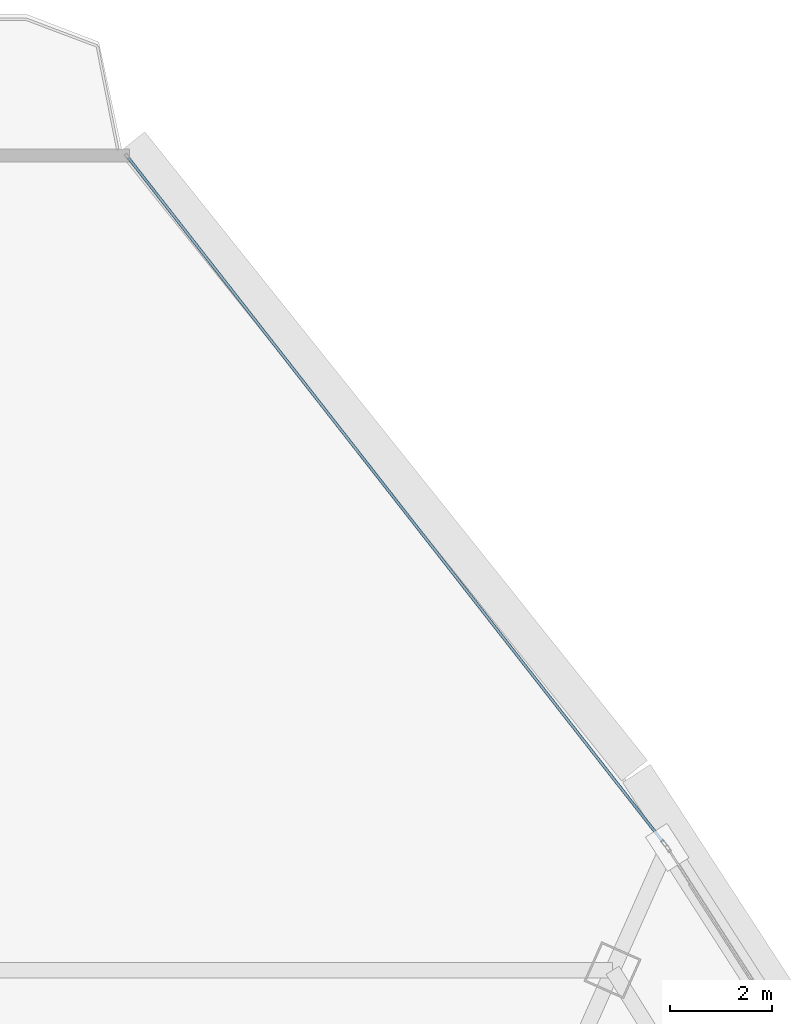
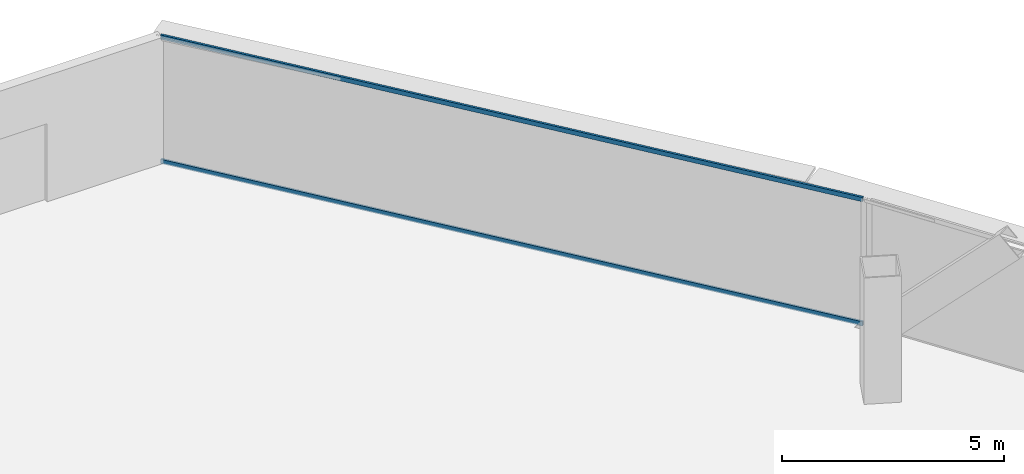
# One storey, part 24 of 37: 2 members, 1 element without a shape of its own.
"""IFC4 building model written with IfcOpenShell, lengths in metres."""

from ifc_helpers import new_model, si_unit, direction, frame, origin, origin_2d, place, context, subcontext, project, spatial, hollow_rectangle, extrude, source, transform, mapped, material, layer, layer_set, material_profile, profile_set, type_object, element, aggregate, save


model = new_model("IFC4")

# Units and contexts
model_context = context("Model", 3, precision=1e-05, world=origin(), true_north=direction((0.0, 1.0)))
body_context = subcontext(model_context, "Body", "Model", "MODEL_VIEW")
ifc_project = project(units=[si_unit("LENGTHUNIT", "METRE"), si_unit("AREAUNIT", "SQUARE_METRE"), si_unit("VOLUMEUNIT", "CUBIC_METRE"), si_unit("PLANEANGLEUNIT", "RADIAN"), si_unit("MASSUNIT", "GRAM", prefix="KILO"), si_unit("THERMODYNAMICTEMPERATUREUNIT", "KELVIN"), si_unit("POWERUNIT", "WATT")], contexts=[model_context])

# Site, building, storey
site_placement = place(None, origin())
site = spatial("IfcSite", under=ifc_project, at=site_placement, CompositionType="ELEMENT")
building_placement = place(site_placement, origin())
building = spatial("IfcBuilding", under=site, at=building_placement, Name="Yunzhuo Pagoda Commons", CompositionType="ELEMENT")
storey_placement = place(building_placement, frame((0.0, 0.0, 240.800048828125)))
storey = spatial("IfcBuildingStorey", under=building, at=storey_placement, Name="L60", CompositionType="ELEMENT", Elevation=240.800048828125)

# Curtain wall, members
ifc_material = material(Name="Anodized aluminium 6063-T6", Category="aluminium")
ifc_layer = layer(ifc_material, 0.139892578125)
ifc_layer_set = layer_set([ifc_layer], Name="Anodized aluminium 6063-T6")
curtain_wall_type = type_object("IfcCurtainWallType", Name="CW-HI High-Zone Ribbon Curtain Wall", PredefinedType="NOTDEFINED", material=ifc_layer_set)
curtain_wall_placement = place(storey_placement, origin())
curtain_wall = element("IfcCurtainWall", 1, at=curtain_wall_placement, inside=storey, type_object=curtain_wall_type, Name="L60 curtain wall CW-L60-F2B5", PredefinedType="NOTDEFINED")
ifc_material_profile = material_profile(ifc_material, hollow_rectangle(XDim=0.054931640625, YDim=0.1201171875, WallThickness=0.00341796875, at=origin_2d()), Name="Anodized aluminium 6063-T6")
ifc_profile_set = profile_set([ifc_material_profile], Name="Anodized aluminium 6063-T6")
member_type = type_object("IfcMemberType", Name="CW-HI-T Transom RHS 120x55x3.5", PredefinedType="USERDEFINED", material=ifc_profile_set)
shared_shape = source(origin(), body_context, "Body", "SweptSolid", [
    extrude(hollow_rectangle(XDim=0.054931640625, YDim=0.1201171875, WallThickness=0.00341796875, at=origin_2d()), origin(), (0.0, 0.0, 1.0), 17.037109375),
])
member_1_placement = place(storey_placement, frame((62.39697265625, 66.328857421875, 0.02734375), z_axis=(-0.615800034083, 0.787902480021, 0.0), x_axis=(-0.787902480021, -0.615800034083, 0.0)))
member_1 = element("IfcMember", 2, at=member_1_placement, type_object=member_type, Name="CW transom 1.1", ObjectType="TRANSOM", PredefinedType="USERDEFINED", context=body_context, shape_type="MappedRepresentation", body=[
    mapped(shared_shape, transform((0.0, 0.0, 0.0), scale=1.0)),
])
member_2_placement = place(storey_placement, frame((62.39697265625, 66.328857421875, 3.4423828125), z_axis=(-0.615800034083, 0.787902480021, 0.0), x_axis=(-0.787902480021, -0.615800034083, 0.0)))
member_2 = element("IfcMember", 3, at=member_2_placement, type_object=member_type, Name="CW transom 1.2", ObjectType="TRANSOM", PredefinedType="USERDEFINED", context=body_context, shape_type="MappedRepresentation", body=[
    mapped(shared_shape, transform((0.0, 0.0, 0.0), scale=1.0)),
])
aggregate(curtain_wall, [member_1, member_2])

save(model, "model.ifc")
